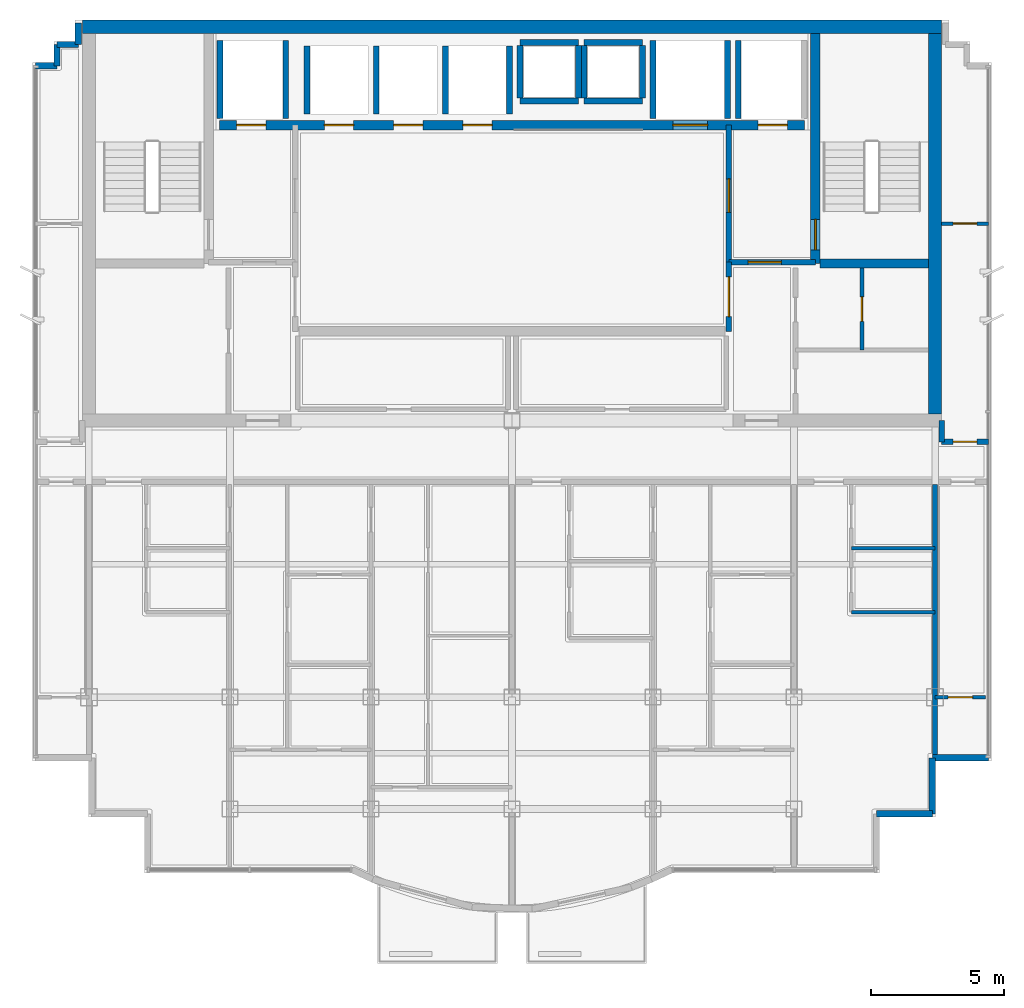
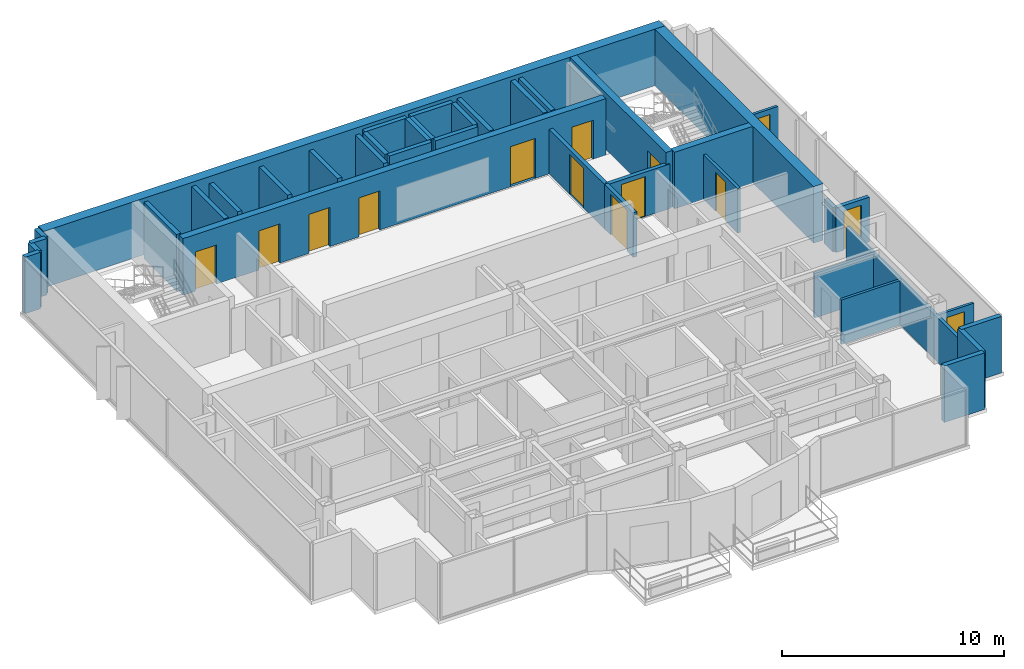
# One storey, part 8 of 11: 40 walls, 14 doors, 14 openings.
"""IFC4 building model written with IfcOpenShell, lengths in metres."""

from ifc_helpers import new_model, si_unit, direction, frame, frame_2d, origin, place, context, subcontext, project, spatial, rectangle, extrude, material, layer, layer_set, type_object, element, fill, save


model = new_model("IFC4")

# Units and contexts
model_context = context("Model", 3, precision=1e-05, world=origin(), true_north=direction((0.0, 1.0)))
body_context = subcontext(model_context, "Body", "Model", "MODEL_VIEW")
ifc_project = project(units=[si_unit("LENGTHUNIT", "METRE"), si_unit("AREAUNIT", "SQUARE_METRE"), si_unit("VOLUMEUNIT", "CUBIC_METRE"), si_unit("PLANEANGLEUNIT", "RADIAN"), si_unit("MASSUNIT", "GRAM", prefix="KILO")], contexts=[model_context])

# Site, building, storey
site_placement = place(None, origin())
site = spatial("IfcSite", under=ifc_project, at=site_placement, CompositionType="ELEMENT")
building_placement = place(site_placement, origin())
building = spatial("IfcBuilding", under=site, at=building_placement, Name="Qianlan Lanfeng Residences", CompositionType="ELEMENT")
storey_placement = place(building_placement, frame((0.0, 0.0, 259.39990234375)))
storey = spatial("IfcBuildingStorey", under=building, at=storey_placement, Name="L72", CompositionType="ELEMENT", Elevation=259.39990234375)

# Wall, opening, door
ifc_material_1 = material(Name="Concrete C49", Category="concrete")
ifc_layer_1 = layer(ifc_material_1, 0.35009765625)
ifc_layer_set_1 = layer_set([ifc_layer_1], Name="Concrete C49")
wall_type_1 = type_object("IfcWallType", Name="CW-RC-350", PredefinedType="SHEAR", material=ifc_layer_set_1)
wall_1_placement = place(storey_placement, frame((37.89990234375, 31.10009765625, 0.0), z_axis=(0.0, 0.0, 1.0), x_axis=(0.0, 1.0, 0.0)))
wall_1 = element("IfcWall", 1, at=wall_1_placement, inside=storey, type_object=wall_type_1, Name="L72 Core Shear Wall ST2W", PredefinedType="SHEAR", context=body_context, shape_type="SweptSolid", body=[
    extrude(rectangle(XDim=8.64990234375, YDim=0.35009765625, at=frame_2d((4.324951171875, 0.0))), origin(), (0.0, 0.0, 1.0), 3.110107421875),
])
opening_1_placement = place(wall_1_placement, frame((0.510009765625, 0.0, 0.0)))
opening_1 = element("IfcOpeningElement", 2, at=opening_1_placement, cuts=wall_1, Name="Opening L72-D08", PredefinedType="OPENING", context=body_context, shape_type="SweptSolid", body=[
    extrude(rectangle(XDim=1.14990234375, YDim=2.199951171875, at=frame_2d((0.574951171875, 1.10009765625))), frame((0.0, 0.18505859375, 0.0), z_axis=(0.0, -1.0, 0.0), x_axis=(1.0, 0.0, 0.0)), (0.0, 0.0, 1.0), 0.3701171875),
])
ifc_material_2 = material(Name="Painted Galvanised Steel Fire Door", Category="steel")
door_type_1 = type_object("IfcDoorType", Name="DT-ST1", OperationType="NOTDEFINED", PredefinedType="DOOR", material=ifc_material_2)
door_1_placement = place(opening_1_placement, origin())
door_1 = element("IfcDoor", 3, at=door_1_placement, inside=storey, type_object=door_type_1, Name="L72 Exit Stair ST-2 Door L72-D08 (DT-ST1)", OperationType="SINGLE_SWING_RIGHT", OverallHeight=2.199951171875, OverallWidth=1.14990234375, PredefinedType="DOOR", context=body_context, shape_type="SweptSolid", body=[
    extrude(rectangle(XDim=1.14990234375, YDim=2.199951171875, at=frame_2d((0.574951171875, 1.10009765625))), frame((0.0, 0.02490234375, 0.0), z_axis=(0.0, -1.0, 0.0), x_axis=(1.0, 0.0, 0.0)), (0.0, 0.0, 1.0), 0.050048828125),
])
fill(opening_1, door_1)

# Wall
wall_2_placement = place(storey_placement, frame((38.074951171875, 31.10009765625, 0.0), z_axis=(0.0, 0.0, 1.0), x_axis=(1.0, 0.0, 0.0)))
element("IfcWall", 4, at=wall_2_placement, inside=storey, type_object=wall_type_1, Name="L72 Core Shear Wall ST2S", PredefinedType="SHEAR", context=body_context, shape_type="SweptSolid", body=[
    extrude(rectangle(XDim=4.074951171875, YDim=0.35009765625, at=frame_2d((2.03759765625, 0.0))), origin(), (0.0, 0.0, 1.0), 3.110107421875),
])

# Wall, openings, doors
wall_3_placement = place(storey_placement, frame((15.5, 36.300048828125, 0.0), z_axis=(0.0, 0.0, 1.0), x_axis=(1.0, 0.0, 0.0)))
wall_3 = element("IfcWall", 5, at=wall_3_placement, inside=storey, type_object=wall_type_1, Name="L72 Core Shear Wall LBN", PredefinedType="SHEAR", context=body_context, shape_type="SweptSolid", body=[
    extrude(rectangle(XDim=22.0, YDim=0.35009765625, at=frame_2d((11.0, 0.0))), origin(), (0.0, 0.0, 1.0), 3.110107421875),
])
opening_2_placement = place(wall_3_placement, frame((0.64990234375, 0.0, 0.0)))
opening_2 = element("IfcOpeningElement", 6, at=opening_2_placement, cuts=wall_3, Name="Opening L72-LD-FFL-1", PredefinedType="OPENING", context=body_context, shape_type="SweptSolid", body=[
    extrude(rectangle(XDim=1.10009765625, YDim=2.14990234375, at=frame_2d((0.550048828125, 1.074951171875))), frame((0.0, 0.18505859375, 0.0), z_axis=(0.0, -1.0, 0.0), x_axis=(1.0, 0.0, 0.0)), (0.0, 0.0, 1.0), 0.3701171875),
])
opening_3_placement = place(wall_3_placement, frame((20.25, 0.0, 0.0)))
opening_3 = element("IfcOpeningElement", 7, at=opening_3_placement, cuts=wall_3, Name="Opening L72-LD-FFL-2", PredefinedType="OPENING", context=body_context, shape_type="SweptSolid", body=[
    extrude(rectangle(XDim=1.10009765625, YDim=2.14990234375, at=frame_2d((0.550048828125, 1.074951171875))), frame((0.0, 0.18505859375, 0.0), z_axis=(0.0, -1.0, 0.0), x_axis=(1.0, 0.0, 0.0)), (0.0, 0.0, 1.0), 0.3701171875),
])
opening_4_placement = place(wall_3_placement, frame((17.050048828125, 0.0, 0.0)))
opening_4 = element("IfcOpeningElement", 8, at=opening_4_placement, cuts=wall_3, Name="Opening L72-LD-SVL-1", PredefinedType="OPENING", context=body_context, shape_type="SweptSolid", body=[
    extrude(rectangle(XDim=1.300048828125, YDim=2.199951171875, at=frame_2d((0.64990234375, 1.10009765625))), frame((0.0, 0.18505859375, 0.0), z_axis=(0.0, -1.0, 0.0), x_axis=(1.0, 0.0, 0.0)), (0.0, 0.0, 1.0), 0.3701171875),
])
opening_5_placement = place(wall_3_placement, frame((3.949951171875, 0.0, 0.0)))
opening_5 = element("IfcOpeningElement", 9, at=opening_5_placement, cuts=wall_3, Name="Opening L72-LD-PL-H1", PredefinedType="OPENING", context=body_context, shape_type="SweptSolid", body=[
    extrude(rectangle(XDim=1.10009765625, YDim=2.14990234375, at=frame_2d((0.550048828125, 1.074951171875))), frame((0.0, 0.18505859375, 0.0), z_axis=(0.0, -1.0, 0.0), x_axis=(1.0, 0.0, 0.0)), (0.0, 0.0, 1.0), 0.3701171875),
])
opening_6_placement = place(wall_3_placement, frame((6.550048828125, 0.0, 0.0)))
opening_6 = element("IfcOpeningElement", 10, at=opening_6_placement, cuts=wall_3, Name="Opening L72-LD-PL-H2", PredefinedType="OPENING", context=body_context, shape_type="SweptSolid", body=[
    extrude(rectangle(XDim=1.10009765625, YDim=2.14990234375, at=frame_2d((0.550048828125, 1.074951171875))), frame((0.0, 0.18505859375, 0.0), z_axis=(0.0, -1.0, 0.0), x_axis=(1.0, 0.0, 0.0)), (0.0, 0.0, 1.0), 0.3701171875),
])
opening_7_placement = place(wall_3_placement, frame((9.14990234375, 0.0, 0.0)))
opening_7 = element("IfcOpeningElement", 11, at=opening_7_placement, cuts=wall_3, Name="Opening L72-LD-PL-H3", PredefinedType="OPENING", context=body_context, shape_type="SweptSolid", body=[
    extrude(rectangle(XDim=1.10009765625, YDim=2.14990234375, at=frame_2d((0.550048828125, 1.074951171875))), frame((0.0, 0.18505859375, 0.0), z_axis=(0.0, -1.0, 0.0), x_axis=(1.0, 0.0, 0.0)), (0.0, 0.0, 1.0), 0.3701171875),
])
ifc_material_3 = material(Name="Brushed Stainless Steel Sliding Lift Door", Category="steel")
door_type_2 = type_object("IfcDoorType", Name="LD-01", OperationType="NOTDEFINED", PredefinedType="DOOR", material=ifc_material_3)
door_2_placement = place(opening_2_placement, frame((1.10009765625, 0.0, 0.0), z_axis=(0.0, 0.0, 1.0), x_axis=(-1.0, 0.0, 0.0)))
door_2 = element("IfcDoor", 12, at=door_2_placement, inside=storey, type_object=door_type_2, Name="L72 Elevator FFL-1 Sliding Landing Door", OperationType="DOUBLE_DOOR_SLIDING", OverallHeight=2.14990234375, OverallWidth=1.10009765625, PredefinedType="DOOR", context=body_context, shape_type="SweptSolid", body=[
    extrude(rectangle(XDim=1.10009765625, YDim=2.14990234375, at=frame_2d((0.550048828125, 1.074951171875))), frame((0.0, 0.02490234375, 0.0), z_axis=(0.0, -1.0, 0.0), x_axis=(1.0, 0.0, 0.0)), (0.0, 0.0, 1.0), 0.050048828125),
])
fill(opening_2, door_2)
door_3_placement = place(opening_3_placement, frame((1.10009765625, 0.0, 0.0), z_axis=(0.0, 0.0, 1.0), x_axis=(-1.0, 0.0, 0.0)))
door_3 = element("IfcDoor", 13, at=door_3_placement, inside=storey, type_object=door_type_2, Name="L72 Elevator FFL-2 Sliding Landing Door", OperationType="DOUBLE_DOOR_SLIDING", OverallHeight=2.14990234375, OverallWidth=1.10009765625, PredefinedType="DOOR", context=body_context, shape_type="SweptSolid", body=[
    extrude(rectangle(XDim=1.10009765625, YDim=2.14990234375, at=frame_2d((0.550048828125, 1.074951171875))), frame((0.0, 0.02490234375, 0.0), z_axis=(0.0, -1.0, 0.0), x_axis=(1.0, 0.0, 0.0)), (0.0, 0.0, 1.0), 0.050048828125),
])
fill(opening_3, door_3)
door_4_placement = place(opening_5_placement, frame((1.10009765625, 0.0, 0.0), z_axis=(0.0, 0.0, 1.0), x_axis=(-1.0, 0.0, 0.0)))
door_4 = element("IfcDoor", 14, at=door_4_placement, inside=storey, type_object=door_type_2, Name="L72 Elevator PL-H1 Sliding Landing Door", OperationType="DOUBLE_DOOR_SLIDING", OverallHeight=2.14990234375, OverallWidth=1.10009765625, PredefinedType="DOOR", context=body_context, shape_type="SweptSolid", body=[
    extrude(rectangle(XDim=1.10009765625, YDim=2.14990234375, at=frame_2d((0.550048828125, 1.074951171875))), frame((0.0, 0.02490234375, 0.0), z_axis=(0.0, -1.0, 0.0), x_axis=(1.0, 0.0, 0.0)), (0.0, 0.0, 1.0), 0.050048828125),
])
fill(opening_5, door_4)
door_5_placement = place(opening_6_placement, frame((1.10009765625, 0.0, 0.0), z_axis=(0.0, 0.0, 1.0), x_axis=(-1.0, 0.0, 0.0)))
door_5 = element("IfcDoor", 15, at=door_5_placement, inside=storey, type_object=door_type_2, Name="L72 Elevator PL-H2 Sliding Landing Door", OperationType="DOUBLE_DOOR_SLIDING", OverallHeight=2.14990234375, OverallWidth=1.10009765625, PredefinedType="DOOR", context=body_context, shape_type="SweptSolid", body=[
    extrude(rectangle(XDim=1.10009765625, YDim=2.14990234375, at=frame_2d((0.550048828125, 1.074951171875))), frame((0.0, 0.02490234375, 0.0), z_axis=(0.0, -1.0, 0.0), x_axis=(1.0, 0.0, 0.0)), (0.0, 0.0, 1.0), 0.050048828125),
])
fill(opening_6, door_5)
door_6_placement = place(opening_7_placement, frame((1.10009765625, 0.0, 0.0), z_axis=(0.0, 0.0, 1.0), x_axis=(-1.0, 0.0, 0.0)))
door_6 = element("IfcDoor", 16, at=door_6_placement, inside=storey, type_object=door_type_2, Name="L72 Elevator PL-H3 Sliding Landing Door", OperationType="DOUBLE_DOOR_SLIDING", OverallHeight=2.14990234375, OverallWidth=1.10009765625, PredefinedType="DOOR", context=body_context, shape_type="SweptSolid", body=[
    extrude(rectangle(XDim=1.10009765625, YDim=2.14990234375, at=frame_2d((0.550048828125, 1.074951171875))), frame((0.0, 0.02490234375, 0.0), z_axis=(0.0, -1.0, 0.0), x_axis=(1.0, 0.0, 0.0)), (0.0, 0.0, 1.0), 0.050048828125),
])
fill(opening_7, door_6)
door_type_3 = type_object("IfcDoorType", Name="LD-02", OperationType="NOTDEFINED", PredefinedType="DOOR", material=ifc_material_3)
door_7_placement = place(opening_4_placement, frame((1.300048828125, 0.0, 0.0), z_axis=(0.0, 0.0, 1.0), x_axis=(-1.0, 0.0, 0.0)))
door_7 = element("IfcDoor", 17, at=door_7_placement, inside=storey, type_object=door_type_3, Name="L72 Elevator SVL-1 Sliding Landing Door", OperationType="DOUBLE_DOOR_SLIDING", OverallHeight=2.199951171875, OverallWidth=1.300048828125, PredefinedType="DOOR", context=body_context, shape_type="SweptSolid", body=[
    extrude(rectangle(XDim=1.300048828125, YDim=2.199951171875, at=frame_2d((0.64990234375, 1.10009765625))), frame((0.0, 0.02490234375, 0.0), z_axis=(0.0, -1.0, 0.0), x_axis=(1.0, 0.0, 0.0)), (0.0, 0.0, 1.0), 0.050048828125),
])
fill(opening_4, door_7)

# Walls
ifc_material_4 = material(Name="Concrete C70", Category="concrete")
ifc_layer_2 = layer(ifc_material_4, 0.5)
ifc_layer_set_2 = layer_set([ifc_layer_2], Name="Concrete C70")
wall_type_2 = type_object("IfcWallType", Name="CW-RC-500", PredefinedType="SHEAR", material=ifc_layer_set_2)
wall_4_placement = place(storey_placement, frame((10.35009765625, 40.0, 0.0), z_axis=(0.0, 0.0, 1.0), x_axis=(1.0, 0.0, 0.0)))
element("IfcWall", 18, at=wall_4_placement, inside=storey, type_object=wall_type_2, Name="L72 Core Shear Wall N", PredefinedType="SHEAR", context=body_context, shape_type="SweptSolid", body=[
    extrude(rectangle(XDim=32.2998046875, YDim=0.5, at=frame_2d((16.14990234375, 0.0))), origin(), (0.0, 0.0, 1.0), 3.110107421875),
])
wall_5_placement = place(storey_placement, frame((42.39990234375, 25.449951171875, 0.0), z_axis=(0.0, 0.0, 1.0), x_axis=(0.0, 1.0, 0.0)))
element("IfcWall", 19, at=wall_5_placement, inside=storey, type_object=wall_type_2, Name="L72 Core Shear Wall E", PredefinedType="SHEAR", context=body_context, shape_type="SweptSolid", body=[
    extrude(rectangle(XDim=14.300048828125, YDim=0.5, at=frame_2d((7.14990234375, 0.0))), origin(), (0.0, 0.0, 1.0), 3.110107421875),
])
ifc_material_5 = material(Name="Concrete C42", Category="concrete")
ifc_layer_3 = layer(ifc_material_5, 0.239990234375)
ifc_layer_set_3 = layer_set([ifc_layer_3], Name="Concrete C42")
wall_type_3 = type_object("IfcWallType", Name="EW-240", PredefinedType="SOLIDWALL", material=ifc_layer_set_3)
for number, where, z_axis, x_axis, name in (
    (20, (40.199951171875, 10.419921875, 0.0), (0.0, 0.0, 1.0), (1.0, 0.0, 0.0), "L72 Exterior Facade Spandrel Wall 12"),
    (21, (42.300048828125, 10.419921875, 0.0), (0.0, 0.0, 1.0), (0.0, 1.0, 0.0), "L72 Exterior Facade Spandrel Wall 13"),
):
    element("IfcWall", number, at=place(storey_placement, frame(where, z_axis=z_axis, x_axis=x_axis)), inside=storey, type_object=wall_type_3, Name=name, PredefinedType="SOLIDWALL", context=body_context, shape_type="SweptSolid", body=[
        extrude(rectangle(XDim=2.10009765625, YDim=0.239990234375, at=frame_2d((1.050048828125, 0.0))), origin(), (0.0, 0.0, 1.0), 3.110107421875),
    ])
wall_6_placement = place(storey_placement, frame((42.300048828125, 12.52001953125, 0.0), z_axis=(0.0, 0.0, 1.0), x_axis=(1.0, 0.0, 0.0)))
element("IfcWall", 22, at=wall_6_placement, inside=storey, type_object=wall_type_3, Name="L72 Exterior Facade Spandrel Wall 14", PredefinedType="SOLIDWALL", context=body_context, shape_type="SweptSolid", body=[
    extrude(rectangle(XDim=2.099853515625, YDim=0.239990234375, at=frame_2d((1.0498046875, 0.0))), origin(), (0.0, 0.0, 1.0), 3.110107421875),
])
wall_7_placement = place(storey_placement, frame((10.199951171875, 40.1298828125, 0.0), z_axis=(0.0, 0.0, 1.0), x_axis=(0.0, -1.0, 0.0)))
element("IfcWall", 23, at=wall_7_placement, inside=storey, type_object=wall_type_3, Name="L72 Exterior Facade Spandrel Wall 19", PredefinedType="SOLIDWALL", context=body_context, shape_type="SweptSolid", body=[
    extrude(rectangle(XDim=0.7998046875, YDim=0.239990234375, at=frame_2d((0.39990234375, 0.0))), origin(), (0.0, 0.0, 1.0), 3.110107421875),
])
for number, where, z_axis, x_axis, name in (
    (24, (10.199951171875, 39.330078125, 0.0), (0.0, 0.0, 1.0), (-1.0, 0.0, 0.0), "L72 Exterior Facade Spandrel Wall 20"),
    (25, (9.39990234375, 39.330078125, 0.0), (0.0, 0.0, 1.0), (0.0, -1.0, 0.0), "L72 Exterior Facade Spandrel Wall 21"),
):
    element("IfcWall", number, at=place(storey_placement, frame(where, z_axis=z_axis, x_axis=x_axis)), inside=storey, type_object=wall_type_3, Name=name, PredefinedType="SOLIDWALL", context=body_context, shape_type="SweptSolid", body=[
        extrude(rectangle(XDim=0.800048828125, YDim=0.239990234375, at=frame_2d((0.39990234375, 0.0))), origin(), (0.0, 0.0, 1.0), 3.110107421875),
    ])
wall_8_placement = place(storey_placement, frame((9.39990234375, 38.530029296875, 0.0), z_axis=(0.0, 0.0, 1.0), x_axis=(-1.0, 0.0, 0.0)))
element("IfcWall", 26, at=wall_8_placement, inside=storey, type_object=wall_type_3, Name="L72 Exterior Facade Spandrel Wall 22", PredefinedType="SOLIDWALL", context=body_context, shape_type="SweptSolid", body=[
    extrude(rectangle(XDim=0.7998046875, YDim=0.239990234375, at=frame_2d((0.39990234375, 0.0))), origin(), (0.0, 0.0, 1.0), 3.110107421875),
])
ifc_material_6 = material(Name="Moisture-Resistant Gypsum Partition 135 mm")
ifc_layer_4 = layer(ifc_material_6, 0.135009765625)
ifc_layer_set_4 = layer_set([ifc_layer_4], Name="Moisture-Resistant Gypsum Partition 135 mm")
wall_type_4 = type_object("IfcWallType", Name="PW-135", PredefinedType="PARTITIONING", material=ifc_layer_set_4)
for number, where, z_axis, x_axis, name in (
    (27, (39.25, 18.0, 0.0), (0.0, 0.0, 1.0), (1.0, 0.0, 0.0), "L72 U03 Kitchen South Wall"),
    (28, (39.25, 20.39990234375, 0.0), (0.0, 0.0, 1.0), (1.0, 0.0, 0.0), "L72 U03 Bathroom South Wall"),
):
    element("IfcWall", number, at=place(storey_placement, frame(where, z_axis=z_axis, x_axis=x_axis)), inside=storey, type_object=wall_type_4, Name=name, PredefinedType="PARTITIONING", context=body_context, shape_type="SweptSolid", body=[
        extrude(rectangle(XDim=3.14990234375, YDim=0.135009765625, at=frame_2d((1.574951171875, 0.0))), origin(), (0.0, 0.0, 1.0), 2.4501953125),
    ])

# Wall, opening, door
wall_9_placement = place(storey_placement, frame((42.39990234375, 14.800048828125, 0.0), z_axis=(0.0, 0.0, 1.0), x_axis=(1.0, 0.0, 0.0)))
wall_9 = element("IfcWall", 29, at=wall_9_placement, inside=storey, type_object=wall_type_4, Name="L72 SEP Mid Partition", PredefinedType="PARTITIONING", context=body_context, shape_type="SweptSolid", body=[
    extrude(rectangle(XDim=1.900146484375, YDim=0.135009765625, at=frame_2d((0.9501953125, 0.0))), origin(), (0.0, 0.0, 1.0), 2.4501953125),
])
opening_8_placement = place(wall_9_placement, frame((0.489990234375, 0.0, 0.0)))
opening_8 = element("IfcOpeningElement", 30, at=opening_8_placement, cuts=wall_9, Name="Opening L72-D42", PredefinedType="OPENING", context=body_context, shape_type="SweptSolid", body=[
    extrude(rectangle(XDim=0.919921875, YDim=2.14990234375, at=frame_2d((0.4599609375, 1.074951171875))), frame((0.0, 0.07763671875, 0.0), z_axis=(0.0, -1.0, 0.0), x_axis=(1.0, 0.0, 0.0)), (0.0, 0.0, 1.0), 0.155029296875),
])
ifc_material_7 = material(Name="Glazed Timber Kitchen/Study Door", Category="wood")
door_type_4 = type_object("IfcDoorType", Name="DT-INT", OperationType="NOTDEFINED", PredefinedType="DOOR", material=ifc_material_7)
door_8_placement = place(opening_8_placement, origin())
door_8 = element("IfcDoor", 31, at=door_8_placement, inside=storey, type_object=door_type_4, Name="L72 SEP Inner Door L72-D42 (DT-INT)", OperationType="SINGLE_SWING_RIGHT", OverallHeight=2.14990234375, OverallWidth=0.919921875, PredefinedType="DOOR", context=body_context, shape_type="SweptSolid", body=[
    extrude(rectangle(XDim=0.919921875, YDim=2.14990234375, at=frame_2d((0.4599609375, 1.074951171875))), frame((0.0, 0.02490234375, 0.0), z_axis=(0.0, -1.0, 0.0), x_axis=(1.0, 0.0, 0.0)), (0.0, 0.0, 1.0), 0.050048828125),
])
fill(opening_8, door_8)

wall_10_placement = place(storey_placement, frame((42.64990234375, 32.60009765625, 0.0), z_axis=(0.0, 0.0, 1.0), x_axis=(1.0, 0.0, 0.0)))
wall_10 = element("IfcWall", 32, at=wall_10_placement, inside=storey, type_object=wall_type_4, Name="L72 EW North Wing Wall", PredefinedType="PARTITIONING", context=body_context, shape_type="SweptSolid", body=[
    extrude(rectangle(XDim=1.75, YDim=0.135009765625, at=frame_2d((0.875, 0.0))), origin(), (0.0, 0.0, 1.0), 2.4501953125),
])
opening_9_placement = place(wall_10_placement, frame((0.425048828125, 0.0, 0.0)))
opening_9 = element("IfcOpeningElement", 33, at=opening_9_placement, cuts=wall_10, Name="Opening L72-D46", PredefinedType="OPENING", context=body_context, shape_type="SweptSolid", body=[
    extrude(rectangle(XDim=0.89990234375, YDim=2.14990234375, at=frame_2d((0.449951171875, 1.074951171875))), frame((0.0, 0.07763671875, 0.0), z_axis=(0.0, -1.0, 0.0), x_axis=(1.0, 0.0, 0.0)), (0.0, 0.0, 1.0), 0.155029296875),
])
ifc_material_8 = material(Name="Moisture-Resistant Timber Leaf", Category="wood")
door_type_5 = type_object("IfcDoorType", Name="DT-WC", OperationType="NOTDEFINED", PredefinedType="DOOR", material=ifc_material_8)
door_9_placement = place(opening_9_placement, origin())
door_9 = element("IfcDoor", 34, at=door_9_placement, inside=storey, type_object=door_type_5, Name="L72 EW Inner Salon Door L72-D46 (DT-WC)", OperationType="SINGLE_SWING_RIGHT", OverallHeight=2.14990234375, OverallWidth=0.89990234375, PredefinedType="DOOR", context=body_context, shape_type="SweptSolid", body=[
    extrude(rectangle(XDim=0.89990234375, YDim=2.14990234375, at=frame_2d((0.449951171875, 1.074951171875))), frame((0.0, 0.02490234375, 0.0), z_axis=(0.0, -1.0, 0.0), x_axis=(1.0, 0.0, 0.0)), (0.0, 0.0, 1.0), 0.050048828125),
])
fill(opening_9, door_9)

ifc_material_9 = material(Name="Acoustic Drywall Partition 150 mm")
ifc_layer_5 = layer(ifc_material_9, 0.14990234375)
ifc_layer_set_5 = layer_set([ifc_layer_5], Name="Acoustic Drywall Partition 150 mm")
wall_type_5 = type_object("IfcWallType", Name="PW-150", PredefinedType="PARTITIONING", material=ifc_layer_set_5)
wall_11_placement = place(storey_placement, frame((39.64990234375, 27.85009765625, 0.0), z_axis=(0.0, 0.0, 1.0), x_axis=(0.0, 1.0, 0.0)))
wall_11 = element("IfcWall", 35, at=wall_11_placement, inside=storey, type_object=wall_type_5, Name="L72 Core East V Split", PredefinedType="PARTITIONING", context=body_context, shape_type="SweptSolid", body=[
    extrude(rectangle(XDim=3.074951171875, YDim=0.14990234375, at=frame_2d((1.53759765625, 0.0))), origin(), (0.0, 0.0, 1.0), 2.4501953125),
])
opening_10_placement = place(wall_11_placement, frame((1.077880859375, 0.0, 0.0)))
opening_10 = element("IfcOpeningElement", 36, at=opening_10_placement, cuts=wall_11, Name="Opening L72-D12", PredefinedType="OPENING", context=body_context, shape_type="SweptSolid", body=[
    extrude(rectangle(XDim=0.919921875, YDim=2.14990234375, at=frame_2d((0.4599609375, 1.074951171875))), frame((0.0, 0.0849609375, 0.0), z_axis=(0.0, -1.0, 0.0), x_axis=(1.0, 0.0, 0.0)), (0.0, 0.0, 1.0), 0.169921875),
])
door_10_placement = place(opening_10_placement, origin())
door_10 = element("IfcDoor", 37, at=door_10_placement, inside=storey, type_object=door_type_4, Name="L72 Inner Supply Closet Door L72-D12 (DT-INT)", OperationType="SINGLE_SWING_LEFT", OverallHeight=2.14990234375, OverallWidth=0.919921875, PredefinedType="DOOR", context=body_context, shape_type="SweptSolid", body=[
    extrude(rectangle(XDim=0.919921875, YDim=2.14990234375, at=frame_2d((0.4599609375, 1.074951171875))), frame((0.0, 0.02490234375, 0.0), z_axis=(0.0, -1.0, 0.0), x_axis=(1.0, 0.0, 0.0)), (0.0, 0.0, 1.0), 0.050048828125),
])
fill(opening_10, door_10)

# Wall
ifc_material_10 = material(Name="Double-Layer Acoustic Gypsum Stud Wall 180 mm")
ifc_layer_6 = layer(ifc_material_10, 0.179931640625)
ifc_layer_set_6 = layer_set([ifc_layer_6], Name="Double-Layer Acoustic Gypsum Stud Wall 180 mm")
wall_type_6 = type_object("IfcWallType", Name="PW-180", PredefinedType="PARTITIONING", material=ifc_layer_set_6)
wall_12_placement = place(storey_placement, frame((42.39990234375, 12.6201171875, 0.0), z_axis=(0.0, 0.0, 1.0), x_axis=(0.0, 1.0, 0.0)))
element("IfcWall", 38, at=wall_12_placement, inside=storey, type_object=wall_type_6, Name="L72 Wing Boundary Party Wall E0", PredefinedType="PARTITIONING", context=body_context, shape_type="SweptSolid", body=[
    extrude(rectangle(XDim=10.179931640625, YDim=0.179931640625, at=frame_2d((5.08984375, 0.0))), origin(), (0.0, 0.0, 1.0), 2.4501953125),
])

# Wall, opening, door
ifc_material_11 = material(Name="Autoclaved Aerated Concrete Blockwork 200 mm", Category="masonry")
ifc_layer_7 = layer(ifc_material_11, 0.199951171875)
ifc_layer_set_7 = layer_set([ifc_layer_7], Name="Autoclaved Aerated Concrete Blockwork 200 mm")
wall_type_7 = type_object("IfcWallType", Name="PW-200", PredefinedType="PARTITIONING", material=ifc_layer_set_7)
wall_13_placement = place(storey_placement, frame((34.64990234375, 31.14990234375, 0.0), z_axis=(0.0, 0.0, 1.0), x_axis=(1.0, 0.0, 0.0)))
wall_13 = element("IfcWall", 39, at=wall_13_placement, inside=storey, type_object=wall_type_7, Name="L72 Firefighting Lobby 2 South Wall", PredefinedType="PARTITIONING", context=body_context, shape_type="SweptSolid", body=[
    extrude(rectangle(XDim=3.25, YDim=0.199951171875, at=frame_2d((1.625, 0.0))), origin(), (0.0, 0.0, 1.0), 2.4501953125),
])
opening_11_placement = place(wall_13_placement, frame((0.72509765625, 0.0, 0.0)))
opening_11 = element("IfcOpeningElement", 40, at=opening_11_placement, cuts=wall_13, Name="Opening L72-D05", PredefinedType="OPENING", context=body_context, shape_type="SweptSolid", body=[
    extrude(rectangle(XDim=1.25, YDim=2.199951171875, at=frame_2d((0.625, 1.10009765625))), frame((0.0, 0.10986328125, 0.0), z_axis=(0.0, -1.0, 0.0), x_axis=(1.0, 0.0, 0.0)), (0.0, 0.0, 1.0), 0.219970703125),
])
door_type_6 = type_object("IfcDoorType", Name="DT-FFL", OperationType="NOTDEFINED", PredefinedType="DOOR", material=ifc_material_2)
door_11_placement = place(opening_11_placement, origin())
door_11 = element("IfcDoor", 41, at=door_11_placement, inside=storey, type_object=door_type_6, Name="L72 Firefighting Lobby 2 Entry Door L72-D05 (DT-FFL)", OperationType="SINGLE_SWING_RIGHT", OverallHeight=2.199951171875, OverallWidth=1.25, PredefinedType="DOOR", context=body_context, shape_type="SweptSolid", body=[
    extrude(rectangle(XDim=1.25, YDim=2.199951171875, at=frame_2d((0.625, 1.10009765625))), frame((0.0, 0.02490234375, 0.0), z_axis=(0.0, -1.0, 0.0), x_axis=(1.0, 0.0, 0.0)), (0.0, 0.0, 1.0), 0.050048828125),
])
fill(opening_11, door_11)

wall_14_placement = place(storey_placement, frame((34.64990234375, 31.14990234375, 0.0), z_axis=(0.0, 0.0, 1.0), x_axis=(0.0, 1.0, 0.0)))
wall_14 = element("IfcWall", 42, at=wall_14_placement, inside=storey, type_object=wall_type_7, Name="L72 Firefighting Lobby 2 West Wall", PredefinedType="PARTITIONING", context=body_context, shape_type="SweptSolid", body=[
    extrude(rectangle(XDim=5.150146484375, YDim=0.199951171875, at=frame_2d((2.5751953125, 0.0))), origin(), (0.0, 0.0, 1.0), 2.4501953125),
])
opening_12_placement = place(wall_14_placement, frame((1.875, 0.0, 0.0)))
opening_12 = element("IfcOpeningElement", 43, at=opening_12_placement, cuts=wall_14, Name="Opening L72-D06", PredefinedType="OPENING", context=body_context, shape_type="SweptSolid", body=[
    extrude(rectangle(XDim=1.25, YDim=2.199951171875, at=frame_2d((0.625, 1.10009765625))), frame((0.0, 0.10986328125, 0.0), z_axis=(0.0, -1.0, 0.0), x_axis=(1.0, 0.0, 0.0)), (0.0, 0.0, 1.0), 0.219970703125),
])
door_12_placement = place(opening_12_placement, origin())
door_12 = element("IfcDoor", 44, at=door_12_placement, inside=storey, type_object=door_type_6, Name="L72 Firefighting Lobby 2 Lift Lobby Door L72-D06 (DT-FFL)", OperationType="SINGLE_SWING_LEFT", OverallHeight=2.199951171875, OverallWidth=1.25, PredefinedType="DOOR", context=body_context, shape_type="SweptSolid", body=[
    extrude(rectangle(XDim=1.25, YDim=2.199951171875, at=frame_2d((0.625, 1.10009765625))), frame((0.0, 0.02490234375, 0.0), z_axis=(0.0, -1.0, 0.0), x_axis=(1.0, 0.0, 0.0)), (0.0, 0.0, 1.0), 0.050048828125),
])
fill(opening_12, door_12)

wall_15_placement = place(storey_placement, frame((34.64990234375, 28.550048828125, 0.0), z_axis=(0.0, 0.0, 1.0), x_axis=(0.0, 1.0, 0.0)))
wall_15 = element("IfcWall", 45, at=wall_15_placement, inside=storey, type_object=wall_type_7, Name="L72 Lift Lobby East Connector Wall", PredefinedType="PARTITIONING", context=body_context, shape_type="SweptSolid", body=[
    extrude(rectangle(XDim=2.599853515625, YDim=0.199951171875, at=frame_2d((1.2998046875, 0.0))), origin(), (0.0, 0.0, 1.0), 2.4501953125),
])
opening_13_placement = place(wall_15_placement, frame((0.550048828125, 0.0, 0.0)))
opening_13 = element("IfcOpeningElement", 46, at=opening_13_placement, cuts=wall_15, Name="Opening L72-D14", PredefinedType="OPENING", context=body_context, shape_type="SweptSolid", body=[
    extrude(rectangle(XDim=1.5, YDim=2.25, at=frame_2d((0.75, 1.125))), frame((0.0, 0.10986328125, 0.0), z_axis=(0.0, -1.0, 0.0), x_axis=(1.0, 0.0, 0.0)), (0.0, 0.0, 1.0), 0.219970703125),
])
ifc_material_12 = material(Name="Timber Veneer Acoustic Fire Door", Category="wood")
door_type_7 = type_object("IfcDoorType", Name="DT-COR1", OperationType="NOTDEFINED", PredefinedType="DOOR", material=ifc_material_12)
door_13_placement = place(opening_13_placement, frame((1.5, 0.0, 0.0), z_axis=(0.0, 0.0, 1.0), x_axis=(-1.0, 0.0, 0.0)))
door_13 = element("IfcDoor", 47, at=door_13_placement, inside=storey, type_object=door_type_7, Name="L72 Lift Lobby East Portal Door L72-D14 (DT-COR1)", OperationType="DOUBLE_DOOR_SINGLE_SWING", OverallHeight=2.25, OverallWidth=1.5, PredefinedType="DOOR", context=body_context, shape_type="SweptSolid", body=[
    extrude(rectangle(XDim=1.5, YDim=2.25, at=frame_2d((0.75, 1.125))), frame((0.0, 0.02490234375, 0.0), z_axis=(0.0, -1.0, 0.0), x_axis=(1.0, 0.0, 0.0)), (0.0, 0.0, 1.0), 0.050048828125),
])
fill(opening_13, door_13)

wall_16_placement = place(storey_placement, frame((42.64990234375, 24.39990234375, 0.0), z_axis=(0.0, 0.0, 1.0), x_axis=(1.0, 0.0, 0.0)))
wall_16 = element("IfcWall", 48, at=wall_16_placement, inside=storey, type_object=wall_type_7, Name="L72 Corridor NE Wall", PredefinedType="PARTITIONING", context=body_context, shape_type="SweptSolid", body=[
    extrude(rectangle(XDim=1.75, YDim=0.199951171875, at=frame_2d((0.875, 0.0))), origin(), (0.0, 0.0, 1.0), 2.4501953125),
])
opening_14_placement = place(wall_16_placement, frame((0.425048828125, 0.0, 0.0)))
opening_14 = element("IfcOpeningElement", 49, at=opening_14_placement, cuts=wall_16, Name="Opening L72-D47", PredefinedType="OPENING", context=body_context, shape_type="SweptSolid", body=[
    extrude(rectangle(XDim=0.89990234375, YDim=2.14990234375, at=frame_2d((0.449951171875, 1.074951171875))), frame((0.0, 0.10986328125, 0.0), z_axis=(0.0, -1.0, 0.0), x_axis=(1.0, 0.0, 0.0)), (0.0, 0.0, 1.0), 0.219970703125),
])
door_14_placement = place(opening_14_placement, origin())
door_14 = element("IfcDoor", 50, at=door_14_placement, inside=storey, type_object=door_type_5, Name="L72 EW Amenity Salon Door L72-D47 (DT-WC)", OperationType="SINGLE_SWING_RIGHT", OverallHeight=2.14990234375, OverallWidth=0.89990234375, PredefinedType="DOOR", context=body_context, shape_type="SweptSolid", body=[
    extrude(rectangle(XDim=0.89990234375, YDim=2.14990234375, at=frame_2d((0.449951171875, 1.074951171875))), frame((0.0, 0.02490234375, 0.0), z_axis=(0.0, -1.0, 0.0), x_axis=(1.0, 0.0, 0.0)), (0.0, 0.0, 1.0), 0.050048828125),
])
fill(opening_14, door_14)

# Walls
wall_17_placement = place(storey_placement, frame((42.64990234375, 24.39990234375, 0.0), z_axis=(0.0, 0.0, 1.0), x_axis=(0.0, 1.0, 0.0)))
element("IfcWall", 51, at=wall_17_placement, inside=storey, type_object=wall_type_7, Name="L72 NE Wing Core Return Wall", PredefinedType="PARTITIONING", context=body_context, shape_type="SweptSolid", body=[
    extrude(rectangle(XDim=0.800048828125, YDim=0.199951171875, at=frame_2d((0.39990234375, 0.0))), origin(), (0.0, 0.0, 1.0), 2.4501953125),
])
ifc_layer_8 = layer(ifc_material_1, 0.219970703125)
ifc_layer_set_8 = layer_set([ifc_layer_8], Name="Concrete C49")
wall_type_8 = type_object("IfcWallType", Name="SHW-220", PredefinedType="SOLIDWALL", material=ifc_layer_set_8)
for number, where, z_axis, x_axis, name in (
    (52, (15.52001953125, 36.550048828125, 0.0), (0.0, 0.0, 1.0), (0.0, 1.0, 0.0), "L72 Lift FFL-1 Shaft Wall W"),
    (53, (18.0, 36.550048828125, 0.0), (0.0, 0.0, 1.0), (0.0, 1.0, 0.0), "L72 Lift FFL-1 Shaft Wall E"),
    (54, (35.0, 36.550048828125, 0.0), (0.0, 0.0, 1.0), (0.0, 1.0, 0.0), "L72 Lift FFL-2 Shaft Wall W"),
    (55, (31.800048828125, 36.550048828125, 0.0), (0.0, 0.0, 1.0), (0.0, 1.0, 0.0), "L72 Lift SVL-1 Shaft Wall W"),
    (56, (34.60009765625, 36.550048828125, 0.0), (0.0, 0.0, 1.0), (0.0, 1.0, 0.0), "L72 Lift SVL-1 Shaft Wall E"),
):
    element("IfcWall", number, at=place(storey_placement, frame(where, z_axis=z_axis, x_axis=x_axis)), inside=storey, type_object=wall_type_8, Name=name, PredefinedType="SOLIDWALL", context=body_context, shape_type="SweptSolid", body=[
        extrude(rectangle(XDim=2.929931640625, YDim=0.219970703125, at=frame_2d((1.46484375, 0.0))), origin(), (0.0, 0.0, 1.0), 3.110107421875),
    ])
for number, where, z_axis, x_axis, name in (
    (57, (18.800048828125, 36.719970703125, 0.0), (0.0, 0.0, 1.0), (0.0, 1.0, 0.0), "L72 Lift PL-H1 Shaft Wall W"),
    (58, (21.39990234375, 36.719970703125, 0.0), (0.0, 0.0, 1.0), (0.0, 1.0, 0.0), "L72 Lift PL-H2 Shaft Wall W"),
    (59, (24.0, 36.719970703125, 0.0), (0.0, 0.0, 1.0), (0.0, 1.0, 0.0), "L72 Lift PL-H3 Shaft Wall W"),
    (60, (26.39990234375, 36.719970703125, 0.0), (0.0, 0.0, 1.0), (0.0, 1.0, 0.0), "L72 Lift PL-H3 Shaft Wall E"),
):
    element("IfcWall", number, at=place(storey_placement, frame(where, z_axis=z_axis, x_axis=x_axis)), inside=storey, type_object=wall_type_8, Name=name, PredefinedType="SOLIDWALL", context=body_context, shape_type="SweptSolid", body=[
        extrude(rectangle(XDim=2.56005859375, YDim=0.219970703125, at=frame_2d((1.280029296875, 0.0))), origin(), (0.0, 0.0, 1.0), 3.110107421875),
    ])
for number, where, z_axis, x_axis, name in (
    (61, (26.800048828125, 37.31005859375, 0.0), (0.0, 0.0, 1.0), (0.0, 1.0, 0.0), "L72 MEP Riser MEP-R1 Shaft Wall W"),
    (62, (29.0, 37.31005859375, 0.0), (0.0, 0.0, 1.0), (0.0, 1.0, 0.0), "L72 MEP Riser MEP-R1 Shaft Wall E"),
):
    element("IfcWall", number, at=place(storey_placement, frame(where, z_axis=z_axis, x_axis=x_axis)), inside=storey, type_object=wall_type_8, Name=name, PredefinedType="SOLIDWALL", context=body_context, shape_type="SweptSolid", body=[
        extrude(rectangle(XDim=1.97998046875, YDim=0.219970703125, at=frame_2d((0.989990234375, 0.0))), origin(), (0.0, 0.0, 1.0), 3.110107421875),
    ])
for number, where, z_axis, x_axis, name in (
    (63, (26.800048828125, 39.39990234375, 0.0), (0.0, 0.0, 1.0), (1.0, 0.0, 0.0), "L72 MEP Riser MEP-R1 Shaft Wall N"),
    (64, (26.800048828125, 37.199951171875, 0.0), (0.0, 0.0, 1.0), (1.0, 0.0, 0.0), "L72 MEP Riser MEP-R1 Shaft Wall S"),
):
    element("IfcWall", number, at=place(storey_placement, frame(where, z_axis=z_axis, x_axis=x_axis)), inside=storey, type_object=wall_type_8, Name=name, PredefinedType="SOLIDWALL", context=body_context, shape_type="SweptSolid", body=[
        extrude(rectangle(XDim=2.199951171875, YDim=0.219970703125, at=frame_2d((1.10009765625, 0.0))), origin(), (0.0, 0.0, 1.0), 3.110107421875),
    ])
for number, where, z_axis, x_axis, name in (
    (65, (29.199951171875, 37.31005859375, 0.0), (0.0, 0.0, 1.0), (0.0, 1.0, 0.0), "L72 MEP Riser MEP-R2 Shaft Wall W"),
    (66, (31.39990234375, 37.31005859375, 0.0), (0.0, 0.0, 1.0), (0.0, 1.0, 0.0), "L72 MEP Riser MEP-R2 Shaft Wall E"),
):
    element("IfcWall", number, at=place(storey_placement, frame(where, z_axis=z_axis, x_axis=x_axis)), inside=storey, type_object=wall_type_8, Name=name, PredefinedType="SOLIDWALL", context=body_context, shape_type="SweptSolid", body=[
        extrude(rectangle(XDim=1.97998046875, YDim=0.219970703125, at=frame_2d((0.989990234375, 0.0))), origin(), (0.0, 0.0, 1.0), 3.110107421875),
    ])
for number, where, z_axis, x_axis, name in (
    (67, (29.199951171875, 39.39990234375, 0.0), (0.0, 0.0, 1.0), (1.0, 0.0, 0.0), "L72 MEP Riser MEP-R2 Shaft Wall N"),
    (68, (29.199951171875, 37.199951171875, 0.0), (0.0, 0.0, 1.0), (1.0, 0.0, 0.0), "L72 MEP Riser MEP-R2 Shaft Wall S"),
):
    element("IfcWall", number, at=place(storey_placement, frame(where, z_axis=z_axis, x_axis=x_axis)), inside=storey, type_object=wall_type_8, Name=name, PredefinedType="SOLIDWALL", context=body_context, shape_type="SweptSolid", body=[
        extrude(rectangle(XDim=2.199951171875, YDim=0.219970703125, at=frame_2d((1.10009765625, 0.0))), origin(), (0.0, 0.0, 1.0), 3.110107421875),
    ])

save(model, "model.ifc")
